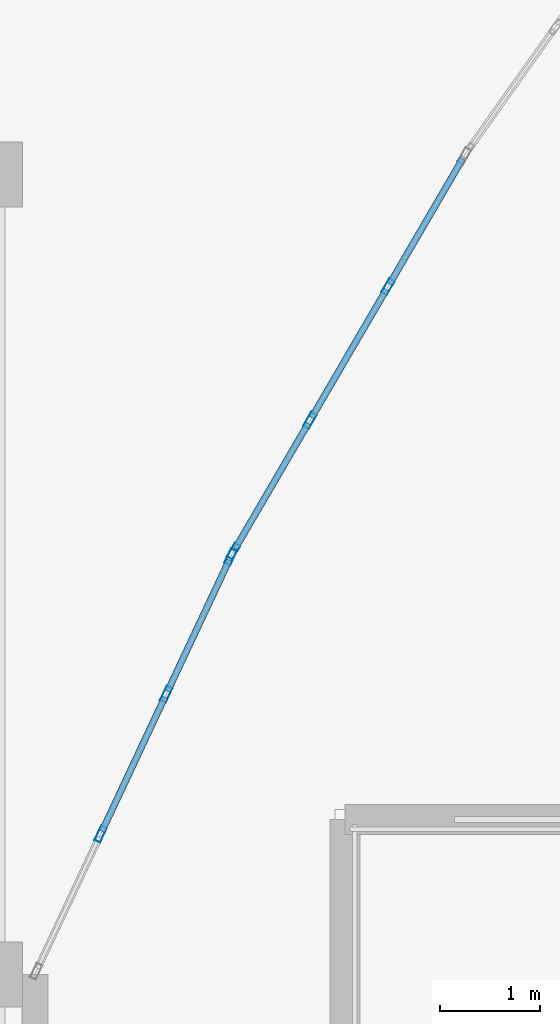
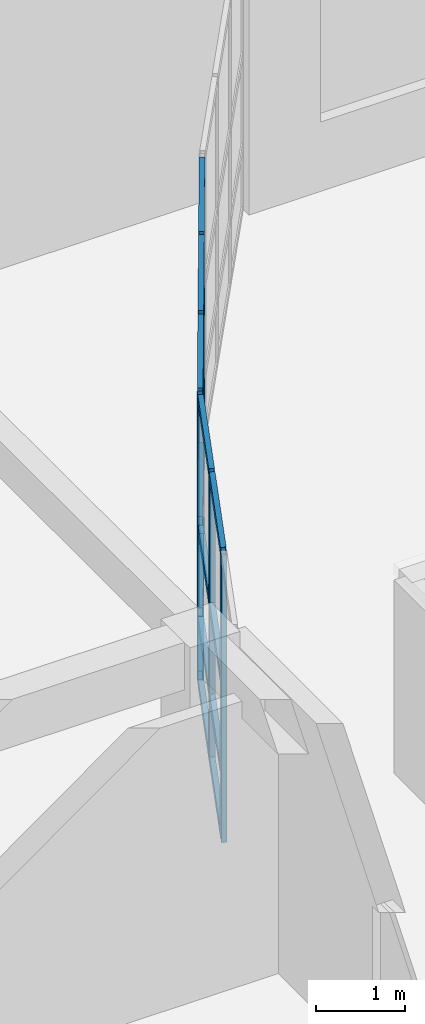
# One storey, part 25 of 114: 26 members, 2 elements without a shape of their own.
"""IFC4 building model written with IfcOpenShell, lengths in metres."""

from ifc_helpers import new_model, si_unit, direction, frame, origin, origin_2d, place, context, subcontext, project, spatial, hollow_rectangle, extrude, material, layer, layer_set, material_profile, profile_set, type_object, element, aggregate, save


model = new_model("IFC4")

# Units and contexts
model_context = context("Model", 3, precision=1e-05, world=origin(), true_north=direction((0.0, 1.0)))
body_context = subcontext(model_context, "Body", "Model", "MODEL_VIEW")
ifc_project = project(units=[si_unit("LENGTHUNIT", "METRE"), si_unit("AREAUNIT", "SQUARE_METRE"), si_unit("VOLUMEUNIT", "CUBIC_METRE"), si_unit("PLANEANGLEUNIT", "RADIAN"), si_unit("MASSUNIT", "GRAM", prefix="KILO")], contexts=[model_context])

# Site, building, storey
site_placement = place(None, origin())
site = spatial("IfcSite", under=ifc_project, at=site_placement, CompositionType="ELEMENT")
building_placement = place(site_placement, origin())
building = spatial("IfcBuilding", under=site, at=building_placement, Name="Keldmere Railside Commons", CompositionType="ELEMENT")
storey_placement = place(building_placement, origin())
storey = spatial("IfcBuildingStorey", under=building, at=storey_placement, Name="L00", CompositionType="ELEMENT", Elevation=0.0)

# Curtain wall, members
ifc_material = material(Name="Thermally Broken Aluminium", Category="aluminium")
ifc_layer_1 = layer(ifc_material, 0.159912109375, Name="Residential Ground Entrance Lobby CW 4000x3600")
ifc_layer_set_1 = layer_set([ifc_layer_1], Name="Thermally Broken Aluminium")
curtain_wall_type_1 = type_object("IfcCurtainWallType", Name="Residential Ground Entrance Lobby CW 4000x3600", PredefinedType="NOTDEFINED", material=ifc_layer_set_1)
curtain_wall_1_placement = place(storey_placement, origin())
curtain_wall_1 = element("IfcCurtainWall", 1, at=curtain_wall_1_placement, inside=storey, type_object=curtain_wall_type_1, Name="CW-10 CW-L00-001", PredefinedType="NOTDEFINED")
ifc_material_profile_1 = material_profile(ifc_material, hollow_rectangle(XDim=0.06494140625, YDim=0.159912109375, WallThickness=0.00390625, at=origin_2d()), Name="ALU-MULL-65x160")
ifc_profile_set_1 = profile_set([ifc_material_profile_1], Name="Thermally Broken Aluminium")
member_type_1 = type_object("IfcMemberType", Name="Unitised Curtain Wall Mullion 65x160", PredefinedType="MULLION", material=ifc_profile_set_1)
member_1_placement = place(storey_placement, frame((25.958251953125, 92.173583984375, 0.0), z_axis=(0.0, 0.0, 1.0), x_axis=(0.905306255478, -0.424759442264, 0.0)))
member_1 = element("IfcMember", 2, at=member_1_placement, type_object=member_type_1, Name="CW-10 mullion 1", PredefinedType="MULLION", context=body_context, shape_type="SweptSolid", body=[
    extrude(hollow_rectangle(XDim=0.06494140625, YDim=0.159912109375, WallThickness=0.00390625, at=origin_2d()), origin(), (0.0, 0.0, 1.0), 3.93994140625),
])
member_2_placement = place(storey_placement, frame((25.314697265625, 90.802001953125, 0.0), z_axis=(0.0, 0.0, 1.0), x_axis=(0.905306255478, -0.424759442264, 0.0)))
member_2 = element("IfcMember", 3, at=member_2_placement, type_object=member_type_1, Name="CW-10 mullion 2", PredefinedType="MULLION", context=body_context, shape_type="SweptSolid", body=[
    extrude(hollow_rectangle(XDim=0.06494140625, YDim=0.159912109375, WallThickness=0.00390625, at=origin_2d()), origin(), (0.0, 0.0, 1.0), 3.93994140625),
])
member_3_placement = place(storey_placement, frame((24.6572265625, 89.40087890625, 0.0), z_axis=(0.0, 0.0, 1.0), x_axis=(0.905306255478, -0.424759442264, 0.0)))
member_3 = element("IfcMember", 4, at=member_3_placement, type_object=member_type_1, Name="CW-10 mullion 3", PredefinedType="MULLION", context=body_context, shape_type="SweptSolid", body=[
    extrude(hollow_rectangle(XDim=0.06494140625, YDim=0.159912109375, WallThickness=0.00390625, at=origin_2d()), origin(), (0.0, 0.0, 1.0), 3.93994140625),
])

ifc_layer_2 = layer(ifc_material, 0.159912109375, Name="Residential Lounge Frontage CW 4600x3600")
ifc_layer_set_2 = layer_set([ifc_layer_2], Name="Thermally Broken Aluminium")
curtain_wall_type_2 = type_object("IfcCurtainWallType", Name="Residential Lounge Frontage CW 4600x3600", PredefinedType="NOTDEFINED", material=ifc_layer_set_2)
curtain_wall_2_placement = place(storey_placement, origin())
curtain_wall_2 = element("IfcCurtainWall", 5, at=curtain_wall_2_placement, inside=storey, type_object=curtain_wall_type_2, Name="CW-11 CW-L00-002", PredefinedType="NOTDEFINED")
member_4_placement = place(storey_placement, frame((27.531982421875, 94.876953125, 0.0), z_axis=(0.0, 0.0, 1.0), x_axis=(0.86375546846, -0.503911193272, 0.0)))
member_4 = element("IfcMember", 6, at=member_4_placement, type_object=member_type_1, Name="CW-11 mullion 2", PredefinedType="MULLION", context=body_context, shape_type="SweptSolid", body=[
    extrude(hollow_rectangle(XDim=0.06494140625, YDim=0.159912109375, WallThickness=0.00390625, at=origin_2d()), origin(), (0.0, 0.0, 1.0), 3.93994140625),
])
member_5_placement = place(storey_placement, frame((26.751953125, 93.5400390625, 0.0), z_axis=(0.0, 0.0, 1.0), x_axis=(0.86375546846, -0.503911193272, 0.0)))
member_5 = element("IfcMember", 7, at=member_5_placement, type_object=member_type_1, Name="CW-11 mullion 3", PredefinedType="MULLION", context=body_context, shape_type="SweptSolid", body=[
    extrude(hollow_rectangle(XDim=0.06494140625, YDim=0.159912109375, WallThickness=0.00390625, at=origin_2d()), origin(), (0.0, 0.0, 1.0), 3.93994140625),
])
member_6_placement = place(storey_placement, frame((25.98828125, 92.23095703125, 0.0), z_axis=(0.0, 0.0, 1.0), x_axis=(0.86375546846, -0.503911193272, 0.0)))
member_6 = element("IfcMember", 8, at=member_6_placement, type_object=member_type_1, Name="CW-11 mullion 4", PredefinedType="MULLION", context=body_context, shape_type="SweptSolid", body=[
    extrude(hollow_rectangle(XDim=0.06494140625, YDim=0.159912109375, WallThickness=0.00390625, at=origin_2d()), origin(), (0.0, 0.0, 1.0), 3.93994140625),
])

# Member
ifc_material_profile_2 = material_profile(ifc_material, hollow_rectangle(XDim=0.06494140625, YDim=0.1201171875, WallThickness=0.00390625, at=origin_2d()), Name="ALU-TRAN-65x120")
ifc_profile_set_2 = profile_set([ifc_material_profile_2], Name="Thermally Broken Aluminium")
member_type_2 = type_object("IfcMemberType", Name="Unitised Curtain Wall Transom 65x120", PredefinedType="USERDEFINED", material=ifc_profile_set_2)
member_7_placement = place(storey_placement, frame((25.9443359375, 92.14404296875, 0.032470703125), z_axis=(-0.424847998455, -0.905264700631, 0.0), x_axis=(0.905264700631, -0.424847998455, 0.0)))
member_7 = element("IfcMember", 9, at=member_7_placement, type_object=member_type_2, Name="CW-10 transom 1.1", ObjectType="TRANSOM", PredefinedType="USERDEFINED", context=body_context, shape_type="SweptSolid", body=[
    extrude(hollow_rectangle(XDim=0.06494140625, YDim=0.1201171875, WallThickness=0.00390625, at=origin_2d()), origin(), (0.0, 0.0, 1.0), 1.449951171875),
])

member_8_placement = place(storey_placement, frame((25.9443359375, 92.14404296875, 0.89990234375), z_axis=(-0.424847998455, -0.905264700631, 0.0), x_axis=(0.905264700631, -0.424847998455, 0.0)))
member_8 = element("IfcMember", 10, at=member_8_placement, type_object=member_type_2, Name="CW-10 transom 1.2", ObjectType="TRANSOM", PredefinedType="USERDEFINED", context=body_context, shape_type="SweptSolid", body=[
    extrude(hollow_rectangle(XDim=0.06494140625, YDim=0.1201171875, WallThickness=0.00390625, at=origin_2d()), origin(), (0.0, 0.0, 1.0), 1.449951171875),
])

member_9_placement = place(storey_placement, frame((25.9443359375, 92.14404296875, 2.14990234375), z_axis=(-0.424847998455, -0.905264700631, 0.0), x_axis=(0.905264700631, -0.424847998455, 0.0)))
member_9 = element("IfcMember", 11, at=member_9_placement, type_object=member_type_2, Name="CW-10 transom 1.3", ObjectType="TRANSOM", PredefinedType="USERDEFINED", context=body_context, shape_type="SweptSolid", body=[
    extrude(hollow_rectangle(XDim=0.06494140625, YDim=0.1201171875, WallThickness=0.00390625, at=origin_2d()), origin(), (0.0, 0.0, 1.0), 1.449951171875),
])

member_10_placement = place(storey_placement, frame((25.9443359375, 92.14404296875, 3.907470703125), z_axis=(-0.424847998455, -0.905264700631, 0.0), x_axis=(0.905264700631, -0.424847998455, 0.0)))
member_10 = element("IfcMember", 12, at=member_10_placement, type_object=member_type_2, Name="CW-10 transom 1.4", ObjectType="TRANSOM", PredefinedType="USERDEFINED", context=body_context, shape_type="SweptSolid", body=[
    extrude(hollow_rectangle(XDim=0.06494140625, YDim=0.1201171875, WallThickness=0.00390625, at=origin_2d()), origin(), (0.0, 0.0, 1.0), 1.449951171875),
])

member_11_placement = place(storey_placement, frame((25.30078125, 90.7724609375, 0.032470703125), z_axis=(-0.424741875375, -0.905314497455, 0.0), x_axis=(0.905314497455, -0.424741875375, 0.0)))
member_11 = element("IfcMember", 13, at=member_11_placement, type_object=member_type_2, Name="CW-10 transom 2.1", ObjectType="TRANSOM", PredefinedType="USERDEFINED", context=body_context, shape_type="SweptSolid", body=[
    extrude(hollow_rectangle(XDim=0.06494140625, YDim=0.1201171875, WallThickness=0.00390625, at=origin_2d()), origin(), (0.0, 0.0, 1.0), 1.482421875),
])

member_12_placement = place(storey_placement, frame((25.30078125, 90.7724609375, 0.89990234375), z_axis=(-0.424741875375, -0.905314497455, 0.0), x_axis=(0.905314497455, -0.424741875375, 0.0)))
member_12 = element("IfcMember", 14, at=member_12_placement, type_object=member_type_2, Name="CW-10 transom 2.2", ObjectType="TRANSOM", PredefinedType="USERDEFINED", context=body_context, shape_type="SweptSolid", body=[
    extrude(hollow_rectangle(XDim=0.06494140625, YDim=0.1201171875, WallThickness=0.00390625, at=origin_2d()), origin(), (0.0, 0.0, 1.0), 1.482421875),
])

member_13_placement = place(storey_placement, frame((25.30078125, 90.7724609375, 2.14990234375), z_axis=(-0.424741875375, -0.905314497455, 0.0), x_axis=(0.905314497455, -0.424741875375, 0.0)))
member_13 = element("IfcMember", 15, at=member_13_placement, type_object=member_type_2, Name="CW-10 transom 2.3", ObjectType="TRANSOM", PredefinedType="USERDEFINED", context=body_context, shape_type="SweptSolid", body=[
    extrude(hollow_rectangle(XDim=0.06494140625, YDim=0.1201171875, WallThickness=0.00390625, at=origin_2d()), origin(), (0.0, 0.0, 1.0), 1.482421875),
])

member_14_placement = place(storey_placement, frame((25.30078125, 90.7724609375, 3.907470703125), z_axis=(-0.424741875375, -0.905314497455, 0.0), x_axis=(0.905314497455, -0.424741875375, 0.0)))
member_14 = element("IfcMember", 16, at=member_14_placement, type_object=member_type_2, Name="CW-10 transom 2.4", ObjectType="TRANSOM", PredefinedType="USERDEFINED", context=body_context, shape_type="SweptSolid", body=[
    extrude(hollow_rectangle(XDim=0.06494140625, YDim=0.1201171875, WallThickness=0.00390625, at=origin_2d()), origin(), (0.0, 0.0, 1.0), 1.482421875),
])

aggregate(curtain_wall_1, [member_1, member_2, member_3, member_7, member_8, member_9, member_10, member_11, member_12, member_13, member_14])

member_15_placement = place(storey_placement, frame((28.279296875, 96.157958984375, 0.032470703125), z_axis=(-0.503912883812, -0.863754482205, 0.0), x_axis=(0.863754482205, -0.503912883812, 0.0)))
member_15 = element("IfcMember", 17, at=member_15_placement, type_object=member_type_2, Name="CW-11 transom 1.1", ObjectType="TRANSOM", PredefinedType="USERDEFINED", context=body_context, shape_type="SweptSolid", body=[
    extrude(hollow_rectangle(XDim=0.06494140625, YDim=0.1201171875, WallThickness=0.00390625, at=origin_2d()), origin(), (0.0, 0.0, 1.0), 1.45068359375),
])

member_16_placement = place(storey_placement, frame((28.279296875, 96.157958984375, 0.89990234375), z_axis=(-0.503912883812, -0.863754482205, 0.0), x_axis=(0.863754482205, -0.503912883812, 0.0)))
member_16 = element("IfcMember", 18, at=member_16_placement, type_object=member_type_2, Name="CW-11 transom 1.2", ObjectType="TRANSOM", PredefinedType="USERDEFINED", context=body_context, shape_type="SweptSolid", body=[
    extrude(hollow_rectangle(XDim=0.06494140625, YDim=0.1201171875, WallThickness=0.00390625, at=origin_2d()), origin(), (0.0, 0.0, 1.0), 1.45068359375),
])

member_17_placement = place(storey_placement, frame((28.279296875, 96.157958984375, 2.14990234375), z_axis=(-0.503912883812, -0.863754482205, 0.0), x_axis=(0.863754482205, -0.503912883812, 0.0)))
member_17 = element("IfcMember", 19, at=member_17_placement, type_object=member_type_2, Name="CW-11 transom 1.3", ObjectType="TRANSOM", PredefinedType="USERDEFINED", context=body_context, shape_type="SweptSolid", body=[
    extrude(hollow_rectangle(XDim=0.06494140625, YDim=0.1201171875, WallThickness=0.00390625, at=origin_2d()), origin(), (0.0, 0.0, 1.0), 1.45068359375),
])

member_18_placement = place(storey_placement, frame((28.279296875, 96.157958984375, 3.907470703125), z_axis=(-0.503912883812, -0.863754482205, 0.0), x_axis=(0.863754482205, -0.503912883812, 0.0)))
member_18 = element("IfcMember", 20, at=member_18_placement, type_object=member_type_2, Name="CW-11 transom 1.4", ObjectType="TRANSOM", PredefinedType="USERDEFINED", context=body_context, shape_type="SweptSolid", body=[
    extrude(hollow_rectangle(XDim=0.06494140625, YDim=0.1201171875, WallThickness=0.00390625, at=origin_2d()), origin(), (0.0, 0.0, 1.0), 1.45068359375),
])

member_19_placement = place(storey_placement, frame((27.515625, 94.848876953125, 0.032470703125), z_axis=(-0.503973390927, -0.863719179616, 0.0), x_axis=(0.863719179616, -0.503973390927, 0.0)))
member_19 = element("IfcMember", 21, at=member_19_placement, type_object=member_type_2, Name="CW-11 transom 2.1", ObjectType="TRANSOM", PredefinedType="USERDEFINED", context=body_context, shape_type="SweptSolid", body=[
    extrude(hollow_rectangle(XDim=0.06494140625, YDim=0.1201171875, WallThickness=0.00390625, at=origin_2d()), origin(), (0.0, 0.0, 1.0), 1.48291015625),
])

member_20_placement = place(storey_placement, frame((27.515625, 94.848876953125, 0.89990234375), z_axis=(-0.503973390927, -0.863719179616, 0.0), x_axis=(0.863719179616, -0.503973390927, 0.0)))
member_20 = element("IfcMember", 22, at=member_20_placement, type_object=member_type_2, Name="CW-11 transom 2.2", ObjectType="TRANSOM", PredefinedType="USERDEFINED", context=body_context, shape_type="SweptSolid", body=[
    extrude(hollow_rectangle(XDim=0.06494140625, YDim=0.1201171875, WallThickness=0.00390625, at=origin_2d()), origin(), (0.0, 0.0, 1.0), 1.48291015625),
])

member_21_placement = place(storey_placement, frame((27.515625, 94.848876953125, 2.14990234375), z_axis=(-0.503973390927, -0.863719179616, 0.0), x_axis=(0.863719179616, -0.503973390927, 0.0)))
member_21 = element("IfcMember", 23, at=member_21_placement, type_object=member_type_2, Name="CW-11 transom 2.3", ObjectType="TRANSOM", PredefinedType="USERDEFINED", context=body_context, shape_type="SweptSolid", body=[
    extrude(hollow_rectangle(XDim=0.06494140625, YDim=0.1201171875, WallThickness=0.00390625, at=origin_2d()), origin(), (0.0, 0.0, 1.0), 1.48291015625),
])

member_22_placement = place(storey_placement, frame((27.515625, 94.848876953125, 3.907470703125), z_axis=(-0.503973390927, -0.863719179616, 0.0), x_axis=(0.863719179616, -0.503973390927, 0.0)))
member_22 = element("IfcMember", 24, at=member_22_placement, type_object=member_type_2, Name="CW-11 transom 2.4", ObjectType="TRANSOM", PredefinedType="USERDEFINED", context=body_context, shape_type="SweptSolid", body=[
    extrude(hollow_rectangle(XDim=0.06494140625, YDim=0.1201171875, WallThickness=0.00390625, at=origin_2d()), origin(), (0.0, 0.0, 1.0), 1.48291015625),
])

member_23_placement = place(storey_placement, frame((26.735595703125, 93.511962890625, 0.032470703125), z_axis=(-0.503912883812, -0.863754482205, 0.0), x_axis=(0.863754482205, -0.503912883812, 0.0)))
member_23 = element("IfcMember", 25, at=member_23_placement, type_object=member_type_2, Name="CW-11 transom 3.1", ObjectType="TRANSOM", PredefinedType="USERDEFINED", context=body_context, shape_type="SweptSolid", body=[
    extrude(hollow_rectangle(XDim=0.06494140625, YDim=0.1201171875, WallThickness=0.00390625, at=origin_2d()), origin(), (0.0, 0.0, 1.0), 1.45068359375),
])

member_24_placement = place(storey_placement, frame((26.735595703125, 93.511962890625, 0.89990234375), z_axis=(-0.503912883812, -0.863754482205, 0.0), x_axis=(0.863754482205, -0.503912883812, 0.0)))
member_24 = element("IfcMember", 26, at=member_24_placement, type_object=member_type_2, Name="CW-11 transom 3.2", ObjectType="TRANSOM", PredefinedType="USERDEFINED", context=body_context, shape_type="SweptSolid", body=[
    extrude(hollow_rectangle(XDim=0.06494140625, YDim=0.1201171875, WallThickness=0.00390625, at=origin_2d()), origin(), (0.0, 0.0, 1.0), 1.45068359375),
])

member_25_placement = place(storey_placement, frame((26.735595703125, 93.511962890625, 2.14990234375), z_axis=(-0.503912883812, -0.863754482205, 0.0), x_axis=(0.863754482205, -0.503912883812, 0.0)))
member_25 = element("IfcMember", 27, at=member_25_placement, type_object=member_type_2, Name="CW-11 transom 3.3", ObjectType="TRANSOM", PredefinedType="USERDEFINED", context=body_context, shape_type="SweptSolid", body=[
    extrude(hollow_rectangle(XDim=0.06494140625, YDim=0.1201171875, WallThickness=0.00390625, at=origin_2d()), origin(), (0.0, 0.0, 1.0), 1.45068359375),
])

member_26_placement = place(storey_placement, frame((26.735595703125, 93.511962890625, 3.907470703125), z_axis=(-0.503912883812, -0.863754482205, 0.0), x_axis=(0.863754482205, -0.503912883812, 0.0)))
member_26 = element("IfcMember", 28, at=member_26_placement, type_object=member_type_2, Name="CW-11 transom 3.4", ObjectType="TRANSOM", PredefinedType="USERDEFINED", context=body_context, shape_type="SweptSolid", body=[
    extrude(hollow_rectangle(XDim=0.06494140625, YDim=0.1201171875, WallThickness=0.00390625, at=origin_2d()), origin(), (0.0, 0.0, 1.0), 1.45068359375),
])

aggregate(curtain_wall_2, [member_4, member_5, member_6, member_15, member_16, member_17, member_18, member_19, member_20, member_21, member_22, member_23, member_24, member_25, member_26])

save(model, "model.ifc")
